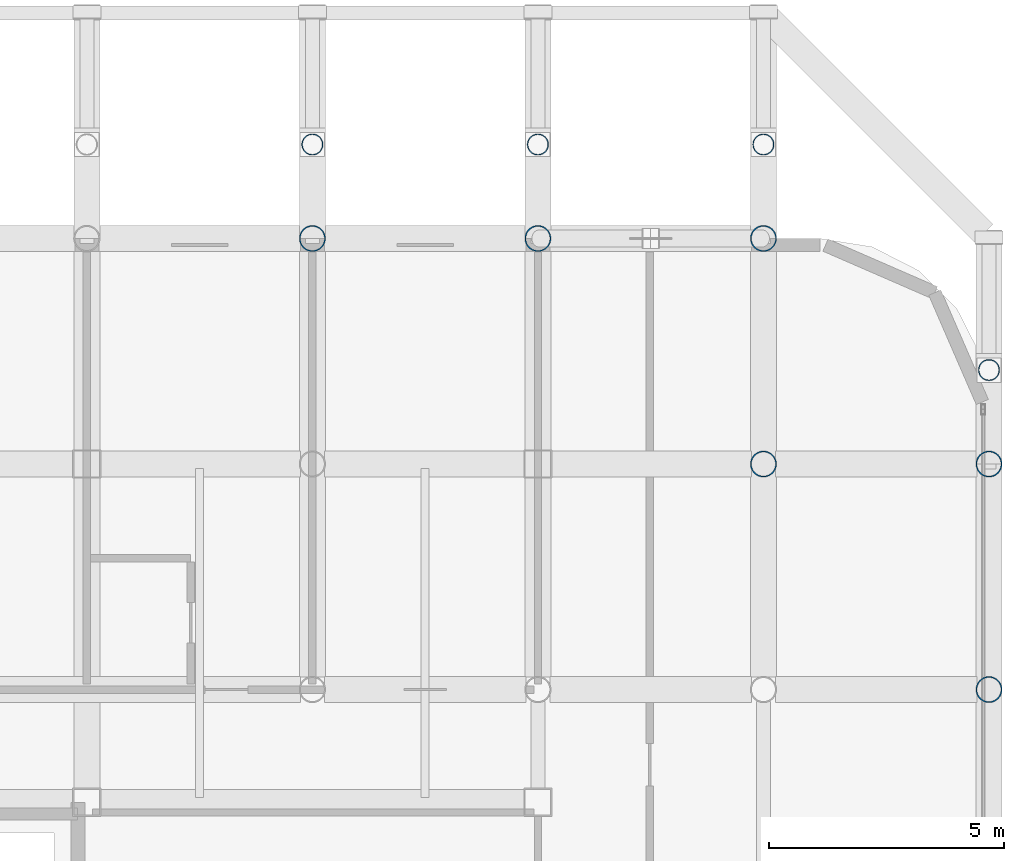
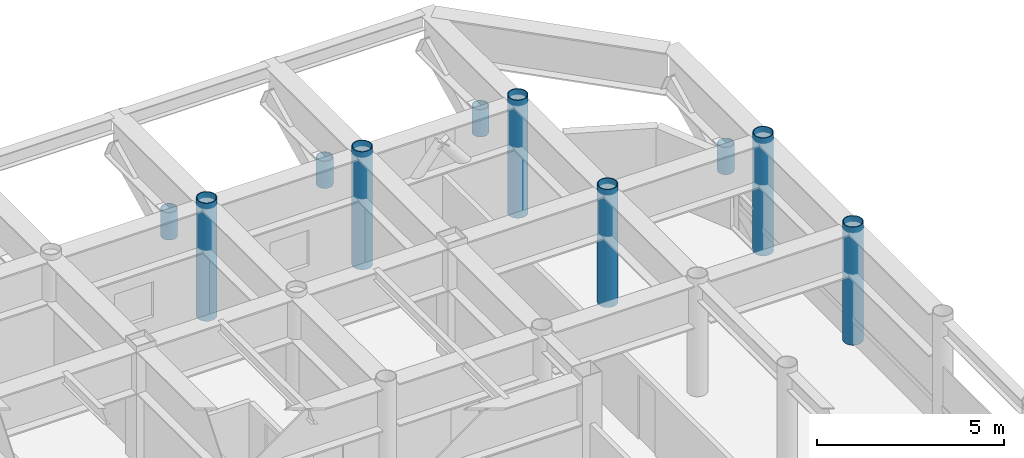
# One storey, part 3 of 24: 10 columns.
"""IFC4 building model written with IfcOpenShell, lengths in metres."""

import ifcopenshell
import ifcopenshell.guid

model = None  # the IFC model being written
_history = None  # IfcOwnerHistory: only IFC2X3 demands one
_inside = {}  # id of a spatial element -> (the spatial element, [elements in it])
_under = {}  # id of a project, library or spatial element -> (it, [spatial elements below it])
_declared = {}  # id of a project -> (the project, [libraries it declares])
_typed = {}  # id of a type object -> (the type object, [elements of that type])
_made_of = {}  # id of a material, layer set ... -> (it, [elements and type objects made of it])


def new_model(schema):
    """Start an empty IFC model of exactly this schema.

    Asked for "IFC4X3", IfcOpenShell would pick the latest addendum, in which some entities
    have other attributes; the version numbers below select the first issue.
    IFC2X3 requires an IfcOwnerHistory on every rooted entity: one is made here for all.
    """
    global model, _history
    if schema == "IFC4X3":
        model = ifcopenshell.file(schema_version=(4, 3, 0, 0))
    else:
        model = ifcopenshell.file(schema=schema)
    _inside.clear()
    _under.clear()
    _declared.clear()
    _typed.clear()
    _made_of.clear()
    _history = None
    if model.schema == "IFC2X3":
        org = make("IfcOrganization", Name="unknown")
        user = make(
            "IfcPersonAndOrganization",
            ThePerson=make("IfcPerson", FamilyName="unknown"),
            TheOrganization=org,
        )
        app = make(
            "IfcApplication",
            ApplicationDeveloper=org,
            Version="unknown",
            ApplicationFullName="unknown",
            ApplicationIdentifier="unknown",
        )
        _history = make(
            "IfcOwnerHistory",
            OwningUser=user,
            OwningApplication=app,
            ChangeAction="ADDED",
            CreationDate=0,
        )
    return model


def make(cls, **values):
    """One entity of the class cls with the attributes given. An attribute that is None is left unset."""
    return model.create_entity(
        cls, **{name: value for name, value in values.items() if value is not None}
    )


def rooted(cls, **values):
    """An entity with a GlobalId (a new one), such as an element, a storey or a relation."""
    return make(cls, GlobalId=ifcopenshell.guid.new(), OwnerHistory=_history, **values)


def si_unit(unit_type, name, prefix=None):
    """IfcSIUnit, for example si_unit("LENGTHUNIT", "METRE", prefix="MILLI")."""
    return make("IfcSIUnit", UnitType=unit_type, Prefix=prefix, Name=name)


def assignment(units):
    """IfcUnitAssignment: the units of a project."""
    return None if units is None else make("IfcUnitAssignment", Units=units)


def point(xyz):
    """IfcCartesianPoint."""
    return None if xyz is None else make("IfcCartesianPoint", Coordinates=xyz)


def direction(xyz):
    """IfcDirection."""
    return None if xyz is None else make("IfcDirection", DirectionRatios=xyz)


def frame(location, z_axis=None, x_axis=None):
    """IfcAxis2Placement3D, a coordinate frame: its origin and axes. An axis left out is left unset."""
    return make(
        "IfcAxis2Placement3D",
        Location=point(location),
        Axis=direction(z_axis),
        RefDirection=direction(x_axis),
    )


def frame_2d(location, x_axis=None):
    """IfcAxis2Placement2D, a coordinate frame in the plane: its origin and x axis."""
    return make(
        "IfcAxis2Placement2D", Location=point(location), RefDirection=direction(x_axis)
    )


def origin():
    """The frame at (0, 0, 0) with its axes left unset."""
    return frame((0.0, 0.0, 0.0))


def origin_2d():
    """The frame at (0, 0) in the plane with its x axis left unset."""
    return frame_2d((0.0, 0.0))


def place(relative_to, where):
    """IfcLocalPlacement: puts the frame where relative to a parent placement (None: the world)."""
    return make(
        "IfcLocalPlacement", PlacementRelTo=relative_to, RelativePlacement=where
    )


def context(
    kind, dimensions, precision=None, world=None, true_north=None, identifier=None
):
    """IfcGeometricRepresentationContext, for example the 3D "Model" context."""
    return make(
        "IfcGeometricRepresentationContext",
        ContextIdentifier=identifier,
        ContextType=kind,
        CoordinateSpaceDimension=dimensions,
        Precision=precision,
        WorldCoordinateSystem=world,
        TrueNorth=true_north,
    )


def subcontext(parent, identifier, kind, view, scale=None):
    """IfcGeometricRepresentationSubContext, for example "Body" below "Model"."""
    return make(
        "IfcGeometricRepresentationSubContext",
        ContextIdentifier=identifier,
        ContextType=kind,
        ParentContext=parent,
        TargetScale=scale,
        TargetView=view,
    )


def project(units=None, contexts=None):
    """IfcProject with its units and contexts."""
    return rooted(
        "IfcProject",
        Name="project",
        RepresentationContexts=contexts,
        UnitsInContext=assignment(units),
    )


def spatial(cls, under=None, at=None, **own):
    """A site, building, storey or space (cls), placed at a placement, below another one or the project."""
    s = rooted(cls, ObjectPlacement=at, **own)
    if under is not None:
        _under.setdefault(under.id(), (under, []))[1].append(s)
    return s


def profile(cls, at=None, kind="AREA", **sizes):
    """A parametric profile (cls). Its sizes go by their IFC names, for example OverallWidth=200.0."""
    return make(cls, ProfileType=kind, Position=at, **sizes)


def hollow_circle(**sizes):
    """IfcCircleHollowProfileDef."""
    return profile("IfcCircleHollowProfileDef", **sizes)


def extrude(swept, where, along, depth):
    """IfcExtrudedAreaSolid: the profile swept, set in the frame where, extruded along a direction by depth."""
    return make(
        "IfcExtrudedAreaSolid",
        SweptArea=swept,
        Position=where,
        ExtrudedDirection=direction(along),
        Depth=depth,
    )


def shape(context_of_items, identifier, shape_type, items):
    """IfcShapeRepresentation: the items that make up one representation, for example the "Body"."""
    return make(
        "IfcShapeRepresentation",
        ContextOfItems=context_of_items,
        RepresentationIdentifier=identifier,
        RepresentationType=shape_type,
        Items=items,
    )


def material(Name=None, Category=None):
    """IfcMaterial."""
    return make("IfcMaterial", Name=Name, Category=Category)


def material_profile(
    of_material, cross_section, Name=None, Category=None, Priority=None
):
    """IfcMaterialProfile: a cross section and its material."""
    return make(
        "IfcMaterialProfile",
        Name=Name,
        Material=of_material,
        Profile=cross_section,
        Priority=Priority,
        Category=Category,
    )


def profile_set(profiles, Name=None, composite=None):
    """IfcMaterialProfileSet."""
    return make(
        "IfcMaterialProfileSet",
        Name=Name,
        MaterialProfiles=profiles,
        CompositeProfile=composite,
    )


def made_of(thing, what):
    """Note that an element or type object is made of a material, layer set ...; save() writes the relation."""
    if what is not None:
        _made_of.setdefault(what.id(), (what, []))[1].append(thing)
    return thing


def type_object(cls, material=None, **own):
    """A type object (cls), such as IfcWallType, which elements share."""
    return made_of(rooted(cls, **own), material)


def element(
    cls,
    number,
    at=None,
    inside=None,
    cuts=None,
    type_object=None,
    material=None,
    context=None,
    identifier="Body",
    shape_type=None,
    held_by="IfcProductDefinitionShape",
    body=None,
    shapes=None,
    **own,
):
    """One element of the class cls, such as IfcWall. Its Tag is "e" and its number.

    at: its placement. inside: the storey or other place that contains it. cuts: it is an
    opening in that element (IfcRelVoidsElement). A single representation is given by context,
    identifier, shape_type and body (its items); several are given by shapes. held_by: the class
    of the entity that holds the representations. save() writes the other relations.
    """
    e = rooted(cls, Tag="e%d" % number, ObjectPlacement=at, **own)
    if body is not None:
        shapes = [shape(context, identifier, shape_type, body)]
    if shapes is not None:
        e.Representation = make(held_by, Representations=shapes)
    if inside is not None:
        _inside.setdefault(inside.id(), (inside, []))[1].append(e)
    if cuts is not None:
        rooted(
            "IfcRelVoidsElement", RelatingBuildingElement=cuts, RelatedOpeningElement=e
        )
    if type_object is not None:
        _typed.setdefault(type_object.id(), (type_object, []))[1].append(e)
    return made_of(e, material)


def aggregate(whole, parts):
    """IfcRelAggregates: a whole, such as a stair, and the parts it consists of."""
    return rooted("IfcRelAggregates", RelatingObject=whole, RelatedObjects=parts)


def save(model, path):
    """Write the relations noted so far, then the file.

    IfcRelAggregates (storeys below a building ...), IfcRelContainedInSpatialStructure (elements
    in a storey), IfcRelDefinesByType, IfcRelAssociatesMaterial and IfcRelDeclares: one each for
    every whole, place, type object, material and project.
    """
    for whole, parts in _under.values():
        aggregate(whole, parts)
    for where, things in _inside.values():
        rooted(
            "IfcRelContainedInSpatialStructure",
            RelatedElements=things,
            RelatingStructure=where,
        )
    for kind, things in _typed.values():
        rooted("IfcRelDefinesByType", RelatedObjects=things, RelatingType=kind)
    for what, things in _made_of.values():
        rooted("IfcRelAssociatesMaterial", RelatedObjects=things, RelatingMaterial=what)
    for by, libraries in _declared.values():
        rooted("IfcRelDeclares", RelatingContext=by, RelatedDefinitions=libraries)
    model.write(path)


model = new_model("IFC4")

# Units and contexts
model_context = context("Model", 3, precision=1e-05, world=origin(), true_north=direction((0.0, 1.0)))
body_context = subcontext(model_context, "Body", "Model", "MODEL_VIEW")
ifc_project = project(units=[si_unit("LENGTHUNIT", "METRE"), si_unit("AREAUNIT", "SQUARE_METRE"), si_unit("VOLUMEUNIT", "CUBIC_METRE"), si_unit("PLANEANGLEUNIT", "RADIAN"), si_unit("MASSUNIT", "GRAM", prefix="KILO")], contexts=[model_context])

# Site, building, storey
site_placement = place(None, origin())
site = spatial("IfcSite", under=ifc_project, at=site_placement, CompositionType="ELEMENT")
building_placement = place(site_placement, origin())
building = spatial("IfcBuilding", under=site, at=building_placement, Name="Kallvorn Hotel Tower", CompositionType="ELEMENT")
storey_placement = place(building_placement, frame((0.0, 0.0, 218.449951171875)))
storey = spatial("IfcBuildingStorey", under=building, at=storey_placement, Name="L54", CompositionType="ELEMENT", Elevation=218.449951171875)

# Columns
ifc_material_1 = material(Name="Structural steel S355J2H", Category="steel")
ifc_material_profile_1 = material_profile(ifc_material_1, hollow_circle(Radius=0.228515625, WallThickness=0.02001953125, at=origin_2d()), Name="CHS 457x20")
ifc_profile_set_1 = profile_set([ifc_material_profile_1], Name="Structural steel S355J2H")
column_type_1 = type_object("IfcColumnType", Name="COL_CHS_457", PredefinedType="COLUMN", material=ifc_profile_set_1)
for number, where, z_axis, x_axis, name in (
    (1, (19.199951171875, 21.199951171875, 1.400146484375), (0.0, 0.0, 1.0), (1.0, 0.0, 0.0), "L55 Cantilever Haunch Prop Column 10"),
    (2, (24.0, 21.199951171875, 1.400146484375), (0.0, 0.0, 1.0), (1.0, 0.0, 0.0), "L55 Cantilever Haunch Prop Column 11"),
    (3, (28.800048828125, 21.199951171875, 1.400146484375), (0.0, 0.0, 1.0), (1.0, 0.0, 0.0), "L55 Cantilever Haunch Prop Column 12"),
    (4, (33.60009765625, 16.39990234375, 1.400146484375), (0.0, 0.0, 1.0), (1.0, 0.0, 0.0), "L55 Cantilever Haunch Prop Column 13"),
):
    element("IfcColumn", number, at=place(storey_placement, frame(where, z_axis=z_axis, x_axis=x_axis)), inside=storey, type_object=column_type_1, Name=name, PredefinedType="COLUMN", context=body_context, shape_type="SweptSolid", body=[
        extrude(hollow_circle(Radius=0.228515625, WallThickness=0.02001953125, at=origin_2d()), origin(), (0.0, 0.0, 1.0), 0.889892578125),
    ])
ifc_material_2 = material(Name="Structural steel S355J2H", Category="steel")
ifc_material_profile_2 = material_profile(ifc_material_2, hollow_circle(Radius=0.279541015625, WallThickness=0.02490234375, at=origin_2d()), Name="CHS 559x25")
ifc_profile_set_2 = profile_set([ifc_material_profile_2], Name="Structural steel S355J2H")
column_type_2 = type_object("IfcColumnType", Name="COL_CHS_559", PredefinedType="COLUMN", material=ifc_profile_set_2)
for number, where, z_axis, x_axis, name in (
    (5, (19.199951171875, 19.199951171875, 0.0), (0.0, 0.0, 1.0), (1.0, 0.0, 0.0), "L54 Exoskeleton Column EC61"),
    (6, (24.0, 19.199951171875, 0.0), (0.0, 0.0, 1.0), (1.0, 0.0, 0.0), "L54 Exoskeleton Column EC66"),
    (7, (28.800048828125, 14.39990234375, 0.0), (0.0, 0.0, 1.0), (1.0, 0.0, 0.0), "L54 Exoskeleton Column EC75"),
    (8, (28.800048828125, 19.199951171875, 0.0), (0.0, 0.0, 1.0), (1.0, 0.0, 0.0), "L54 Exoskeleton Column EC76"),
    (9, (33.60009765625, 9.60009765625, 0.0), (0.0, 0.0, 1.0), (1.0, 0.0, 0.0), "L54 Exoskeleton Column EC83"),
    (10, (33.60009765625, 14.39990234375, 0.0), (0.0, 0.0, 1.0), (1.0, 0.0, 0.0), "L54 Exoskeleton Column EC84"),
):
    element("IfcColumn", number, at=place(storey_placement, frame(where, z_axis=z_axis, x_axis=x_axis)), inside=storey, type_object=column_type_2, Name=name, PredefinedType="COLUMN", context=body_context, shape_type="SweptSolid", body=[
        extrude(hollow_circle(Radius=0.279541015625, WallThickness=0.02490234375, at=origin_2d()), origin(), (0.0, 0.0, 1.0), 3.85009765625),
    ])

save(model, "model.ifc")
